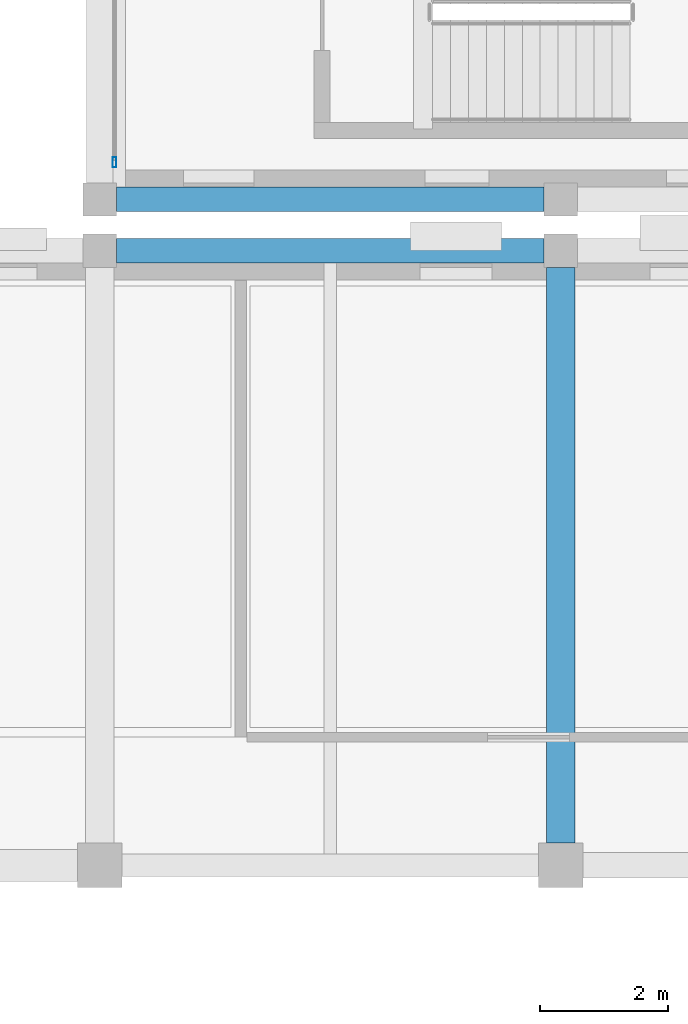
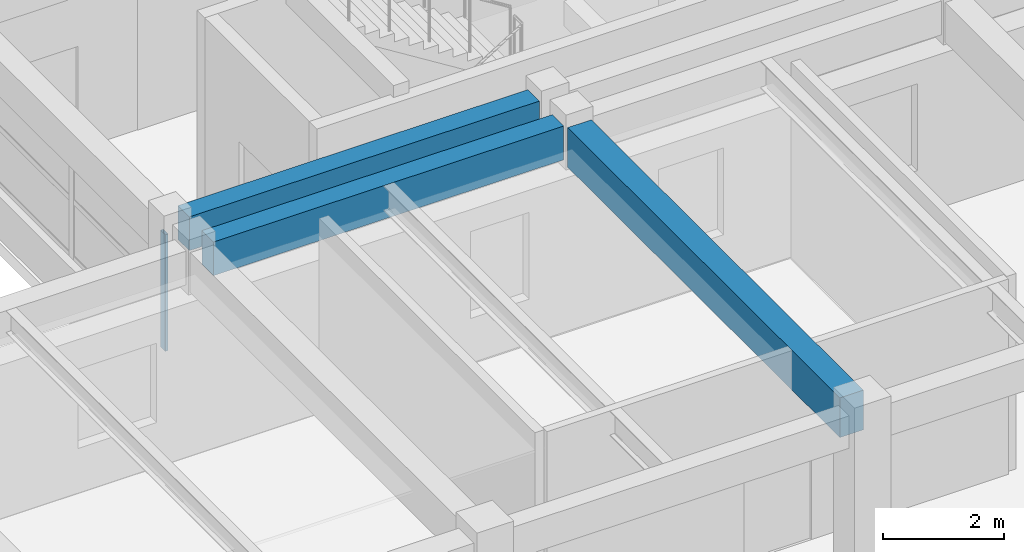
# One storey, part 32 of 67: 3 beams, 1 member, 1 element without a shape of its own.
"""IFC4 building model written with IfcOpenShell, lengths in metres."""

import ifcopenshell
import ifcopenshell.guid

model = None  # the IFC model being written
_history = None  # IfcOwnerHistory: only IFC2X3 demands one
_inside = {}  # id of a spatial element -> (the spatial element, [elements in it])
_under = {}  # id of a project, library or spatial element -> (it, [spatial elements below it])
_declared = {}  # id of a project -> (the project, [libraries it declares])
_typed = {}  # id of a type object -> (the type object, [elements of that type])
_made_of = {}  # id of a material, layer set ... -> (it, [elements and type objects made of it])


def new_model(schema):
    """Start an empty IFC model of exactly this schema.

    Asked for "IFC4X3", IfcOpenShell would pick the latest addendum, in which some entities
    have other attributes; the version numbers below select the first issue.
    IFC2X3 requires an IfcOwnerHistory on every rooted entity: one is made here for all.
    """
    global model, _history
    if schema == "IFC4X3":
        model = ifcopenshell.file(schema_version=(4, 3, 0, 0))
    else:
        model = ifcopenshell.file(schema=schema)
    _inside.clear()
    _under.clear()
    _declared.clear()
    _typed.clear()
    _made_of.clear()
    _history = None
    if model.schema == "IFC2X3":
        org = make("IfcOrganization", Name="unknown")
        user = make(
            "IfcPersonAndOrganization",
            ThePerson=make("IfcPerson", FamilyName="unknown"),
            TheOrganization=org,
        )
        app = make(
            "IfcApplication",
            ApplicationDeveloper=org,
            Version="unknown",
            ApplicationFullName="unknown",
            ApplicationIdentifier="unknown",
        )
        _history = make(
            "IfcOwnerHistory",
            OwningUser=user,
            OwningApplication=app,
            ChangeAction="ADDED",
            CreationDate=0,
        )
    return model


def make(cls, **values):
    """One entity of the class cls with the attributes given. An attribute that is None is left unset."""
    return model.create_entity(
        cls, **{name: value for name, value in values.items() if value is not None}
    )


def rooted(cls, **values):
    """An entity with a GlobalId (a new one), such as an element, a storey or a relation."""
    return make(cls, GlobalId=ifcopenshell.guid.new(), OwnerHistory=_history, **values)


def si_unit(unit_type, name, prefix=None):
    """IfcSIUnit, for example si_unit("LENGTHUNIT", "METRE", prefix="MILLI")."""
    return make("IfcSIUnit", UnitType=unit_type, Prefix=prefix, Name=name)


def assignment(units):
    """IfcUnitAssignment: the units of a project."""
    return None if units is None else make("IfcUnitAssignment", Units=units)


def point(xyz):
    """IfcCartesianPoint."""
    return None if xyz is None else make("IfcCartesianPoint", Coordinates=xyz)


def direction(xyz):
    """IfcDirection."""
    return None if xyz is None else make("IfcDirection", DirectionRatios=xyz)


def frame(location, z_axis=None, x_axis=None):
    """IfcAxis2Placement3D, a coordinate frame: its origin and axes. An axis left out is left unset."""
    return make(
        "IfcAxis2Placement3D",
        Location=point(location),
        Axis=direction(z_axis),
        RefDirection=direction(x_axis),
    )


def frame_2d(location, x_axis=None):
    """IfcAxis2Placement2D, a coordinate frame in the plane: its origin and x axis."""
    return make(
        "IfcAxis2Placement2D", Location=point(location), RefDirection=direction(x_axis)
    )


def origin():
    """The frame at (0, 0, 0) with its axes left unset."""
    return frame((0.0, 0.0, 0.0))


def origin_2d():
    """The frame at (0, 0) in the plane with its x axis left unset."""
    return frame_2d((0.0, 0.0))


def place(relative_to, where):
    """IfcLocalPlacement: puts the frame where relative to a parent placement (None: the world)."""
    return make(
        "IfcLocalPlacement", PlacementRelTo=relative_to, RelativePlacement=where
    )


def context(
    kind, dimensions, precision=None, world=None, true_north=None, identifier=None
):
    """IfcGeometricRepresentationContext, for example the 3D "Model" context."""
    return make(
        "IfcGeometricRepresentationContext",
        ContextIdentifier=identifier,
        ContextType=kind,
        CoordinateSpaceDimension=dimensions,
        Precision=precision,
        WorldCoordinateSystem=world,
        TrueNorth=true_north,
    )


def subcontext(parent, identifier, kind, view, scale=None):
    """IfcGeometricRepresentationSubContext, for example "Body" below "Model"."""
    return make(
        "IfcGeometricRepresentationSubContext",
        ContextIdentifier=identifier,
        ContextType=kind,
        ParentContext=parent,
        TargetScale=scale,
        TargetView=view,
    )


def project(units=None, contexts=None):
    """IfcProject with its units and contexts."""
    return rooted(
        "IfcProject",
        Name="project",
        RepresentationContexts=contexts,
        UnitsInContext=assignment(units),
    )


def spatial(cls, under=None, at=None, **own):
    """A site, building, storey or space (cls), placed at a placement, below another one or the project."""
    s = rooted(cls, ObjectPlacement=at, **own)
    if under is not None:
        _under.setdefault(under.id(), (under, []))[1].append(s)
    return s


def profile(cls, at=None, kind="AREA", **sizes):
    """A parametric profile (cls). Its sizes go by their IFC names, for example OverallWidth=200.0."""
    return make(cls, ProfileType=kind, Position=at, **sizes)


def rectangle(**sizes):
    """IfcRectangleProfileDef."""
    return profile("IfcRectangleProfileDef", **sizes)


def hollow_rectangle(**sizes):
    """IfcRectangleHollowProfileDef."""
    return profile("IfcRectangleHollowProfileDef", **sizes)


def extrude(swept, where, along, depth):
    """IfcExtrudedAreaSolid: the profile swept, set in the frame where, extruded along a direction by depth."""
    return make(
        "IfcExtrudedAreaSolid",
        SweptArea=swept,
        Position=where,
        ExtrudedDirection=direction(along),
        Depth=depth,
    )


def shape(context_of_items, identifier, shape_type, items):
    """IfcShapeRepresentation: the items that make up one representation, for example the "Body"."""
    return make(
        "IfcShapeRepresentation",
        ContextOfItems=context_of_items,
        RepresentationIdentifier=identifier,
        RepresentationType=shape_type,
        Items=items,
    )


def material(Name=None, Category=None):
    """IfcMaterial."""
    return make("IfcMaterial", Name=Name, Category=Category)


def material_profile(
    of_material, cross_section, Name=None, Category=None, Priority=None
):
    """IfcMaterialProfile: a cross section and its material."""
    return make(
        "IfcMaterialProfile",
        Name=Name,
        Material=of_material,
        Profile=cross_section,
        Priority=Priority,
        Category=Category,
    )


def profile_set(profiles, Name=None, composite=None):
    """IfcMaterialProfileSet."""
    return make(
        "IfcMaterialProfileSet",
        Name=Name,
        MaterialProfiles=profiles,
        CompositeProfile=composite,
    )


def made_of(thing, what):
    """Note that an element or type object is made of a material, layer set ...; save() writes the relation."""
    if what is not None:
        _made_of.setdefault(what.id(), (what, []))[1].append(thing)
    return thing


def type_object(cls, material=None, **own):
    """A type object (cls), such as IfcWallType, which elements share."""
    return made_of(rooted(cls, **own), material)


def element(
    cls,
    number,
    at=None,
    inside=None,
    cuts=None,
    type_object=None,
    material=None,
    context=None,
    identifier="Body",
    shape_type=None,
    held_by="IfcProductDefinitionShape",
    body=None,
    shapes=None,
    **own,
):
    """One element of the class cls, such as IfcWall. Its Tag is "e" and its number.

    at: its placement. inside: the storey or other place that contains it. cuts: it is an
    opening in that element (IfcRelVoidsElement). A single representation is given by context,
    identifier, shape_type and body (its items); several are given by shapes. held_by: the class
    of the entity that holds the representations. save() writes the other relations.
    """
    e = rooted(cls, Tag="e%d" % number, ObjectPlacement=at, **own)
    if body is not None:
        shapes = [shape(context, identifier, shape_type, body)]
    if shapes is not None:
        e.Representation = make(held_by, Representations=shapes)
    if inside is not None:
        _inside.setdefault(inside.id(), (inside, []))[1].append(e)
    if cuts is not None:
        rooted(
            "IfcRelVoidsElement", RelatingBuildingElement=cuts, RelatedOpeningElement=e
        )
    if type_object is not None:
        _typed.setdefault(type_object.id(), (type_object, []))[1].append(e)
    return made_of(e, material)


def aggregate(whole, parts):
    """IfcRelAggregates: a whole, such as a stair, and the parts it consists of."""
    return rooted("IfcRelAggregates", RelatingObject=whole, RelatedObjects=parts)


def save(model, path):
    """Write the relations noted so far, then the file.

    IfcRelAggregates (storeys below a building ...), IfcRelContainedInSpatialStructure (elements
    in a storey), IfcRelDefinesByType, IfcRelAssociatesMaterial and IfcRelDeclares: one each for
    every whole, place, type object, material and project.
    """
    for whole, parts in _under.values():
        aggregate(whole, parts)
    for where, things in _inside.values():
        rooted(
            "IfcRelContainedInSpatialStructure",
            RelatedElements=things,
            RelatingStructure=where,
        )
    for kind, things in _typed.values():
        rooted("IfcRelDefinesByType", RelatedObjects=things, RelatingType=kind)
    for what, things in _made_of.values():
        rooted("IfcRelAssociatesMaterial", RelatedObjects=things, RelatingMaterial=what)
    for by, libraries in _declared.values():
        rooted("IfcRelDeclares", RelatingContext=by, RelatedDefinitions=libraries)
    model.write(path)


model = new_model("IFC4")

# Units and contexts
model_context = context("Model", 3, precision=1e-05, world=origin(), true_north=direction((0.0, 1.0)))
body_context = subcontext(model_context, "Body", "Model", "MODEL_VIEW")
ifc_project = project(units=[si_unit("LENGTHUNIT", "METRE"), si_unit("AREAUNIT", "SQUARE_METRE"), si_unit("VOLUMEUNIT", "CUBIC_METRE"), si_unit("PLANEANGLEUNIT", "RADIAN"), si_unit("MASSUNIT", "GRAM", prefix="KILO")], contexts=[model_context])

# Site, building, storey
site_placement = place(None, origin())
site = spatial("IfcSite", under=ifc_project, at=site_placement, CompositionType="ELEMENT")
building_placement = place(site_placement, origin())
building = spatial("IfcBuilding", under=site, at=building_placement, Name="Bramveld Media Centre", CompositionType="ELEMENT")
storey_placement = place(building_placement, frame((0.0, 0.0, 5.39990234375)))
storey = spatial("IfcBuildingStorey", under=building, at=storey_placement, Name="L01", CompositionType="ELEMENT", Elevation=5.39990234375)

# Beam
ifc_material_1 = material(Name="Concrete C40/50", Category="concrete")
ifc_material_profile_1 = material_profile(ifc_material_1, rectangle(XDim=0.449951171875, YDim=0.800048828125, at=origin_2d()), Name="RC 450x800")
ifc_profile_set_1 = profile_set([ifc_material_profile_1], Name="Concrete C40/50")
beam_type_1 = type_object("IfcBeamType", Name="BM-INT-RC-450x800", PredefinedType="BEAM", material=ifc_profile_set_1)
beam_placement = place(storey_placement, frame((138.39990234375, 29.14990234375, 3.5400390625), z_axis=(0.0, 1.0, 0.0), x_axis=(-1.0, 0.0, 0.0)))
element("IfcBeam", 1, at=beam_placement, inside=storey, type_object=beam_type_1, Name="V1 L01 girder Y-66", PredefinedType="BEAM", context=body_context, shape_type="SweptSolid", body=[
    extrude(rectangle(XDim=0.449951171875, YDim=0.800048828125, at=origin_2d()), origin(), (0.0, 0.0, 1.0), 8.989990234375),
])

# Curtain wall, member
ifc_material_2 = material(Name="Thermally broken anodized bronze aluminium unitized curtain wall with solar-control triple glazing", Category="aluminium")
curtain_wall_type = type_object("IfcCurtainWallType", Name="CW-FACV4-6100x2350", PredefinedType="NOTDEFINED", material=ifc_material_2)
curtain_wall_placement = place(storey_placement, origin())
curtain_wall = element("IfcCurtainWall", 2, at=curtain_wall_placement, inside=storey, type_object=curtain_wall_type, Name="V4 L01 W curtain wall bay 1", PredefinedType="NOTDEFINED")
ifc_material_3 = material(Name="Thermally broken anodized bronze aluminium EN AW-6063 T6 curtain-wall framing", Category="aluminium")
ifc_material_profile_2 = material_profile(ifc_material_3, hollow_rectangle(XDim=0.06005859375, YDim=0.159912109375, WallThickness=0.00390625, InnerFilletRadius=0.00390625, OuterFilletRadius=0.008056640625, at=origin_2d()), Name="AL-MULL 60x160")
ifc_profile_set_2 = profile_set([ifc_material_profile_2], Name="Thermally broken anodized bronze aluminium EN AW-6063 T6 curtain-wall framing")
member_type = type_object("IfcMemberType", Name="CW-MULL-EXT", PredefinedType="MULLION", material=ifc_profile_set_2)
member_placement = place(storey_placement, frame((131.429931640625, 39.780029296875, 0.85009765625), z_axis=(0.0, 0.0, 1.0), x_axis=(-1.0, 0.0, 0.0)))
member = element("IfcMember", 3, at=member_placement, type_object=member_type, Name="CW-FA-6123 mullion 1", PredefinedType="MULLION", context=body_context, shape_type="SweptSolid", body=[
    extrude(hollow_rectangle(XDim=0.06005859375, YDim=0.159912109375, WallThickness=0.00390625, InnerFilletRadius=0.00390625, OuterFilletRadius=0.008056640625, at=origin_2d()), origin(), (0.0, 0.0, 1.0), 2.35009765625),
])
aggregate(curtain_wall, [member])

# Beams
ifc_material_4 = material(Name="Concrete C40/50", Category="concrete")
ifc_material_profile_3 = material_profile(ifc_material_4, rectangle(XDim=0.3798828125, YDim=0.679931640625, at=origin_2d()), Name="RC 380x680")
ifc_profile_set_3 = profile_set([ifc_material_profile_3], Name="Concrete C40/50")
beam_type_2 = type_object("IfcBeamType", Name="SPANDREL-EXT-RC-380x680", PredefinedType="SPANDREL", material=ifc_profile_set_3)
for number, where, z_axis, x_axis, name in (
    (4, (131.4599609375, 38.39990234375, 3.60009765625), (1.0, 0.0, 0.0), (0.0, 1.0, 0.0), "V1 L01 girder X-53"),
    (5, (131.4599609375, 39.199951171875, 3.6201171875), (1.0, 0.0, 0.0), (0.0, 1.0, 0.0), "V4 L01 girder X-517"),
):
    element("IfcBeam", number, at=place(storey_placement, frame(where, z_axis=z_axis, x_axis=x_axis)), inside=storey, type_object=beam_type_2, Name=name, PredefinedType="SPANDREL", context=body_context, shape_type="SweptSolid", body=[
        extrude(rectangle(XDim=0.3798828125, YDim=0.679931640625, at=origin_2d()), origin(), (0.0, 0.0, 1.0), 6.679931640625),
    ])

save(model, "model.ifc")
